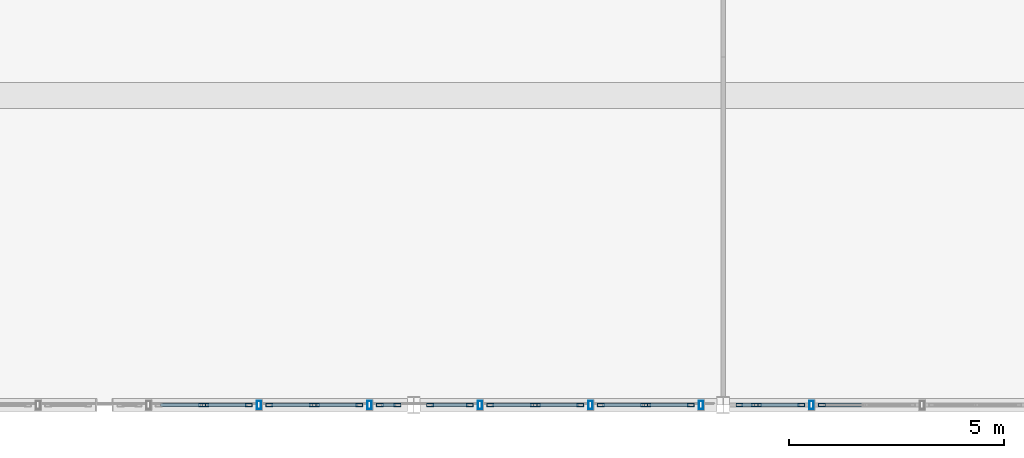
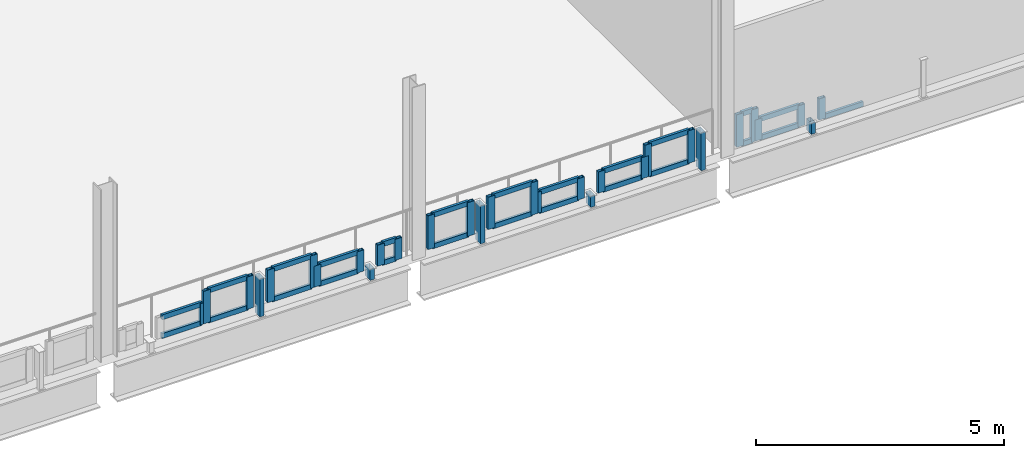
# One storey, part 6 of 20: 55 members, 13 elements without a shape of their own.
"""IFC4 building model written with IfcOpenShell, lengths in metres."""

from ifc_helpers import new_model, si_unit, direction, frame, origin, origin_2d, place, context, subcontext, project, spatial, hollow_rectangle, extrude, material, layer, layer_set, material_profile, profile_set, type_object, element, aggregate, save


model = new_model("IFC4")

# Units and contexts
model_context = context("Model", 3, precision=1e-05, world=origin(), true_north=direction((0.0, 1.0)))
body_context = subcontext(model_context, "Body", "Model", "MODEL_VIEW")
ifc_project = project(units=[si_unit("LENGTHUNIT", "METRE"), si_unit("AREAUNIT", "SQUARE_METRE"), si_unit("VOLUMEUNIT", "CUBIC_METRE"), si_unit("PLANEANGLEUNIT", "RADIAN"), si_unit("MASSUNIT", "GRAM", prefix="KILO"), si_unit("THERMODYNAMICTEMPERATUREUNIT", "KELVIN"), si_unit("POWERUNIT", "WATT")], contexts=[model_context])

# Site, building, storey
site_placement = place(None, origin())
site = spatial("IfcSite", under=ifc_project, at=site_placement, CompositionType="ELEMENT")
building_placement = place(site_placement, origin())
building = spatial("IfcBuilding", under=site, at=building_placement, Name="Kaldorven Railside Theatre", CompositionType="ELEMENT")
storey_placement = place(building_placement, frame((0.0, 0.0, 23.10009765625)))
storey = spatial("IfcBuildingStorey", under=building, at=storey_placement, Name="L05", CompositionType="ELEMENT", Elevation=23.10009765625)

# Curtain wall, member
ifc_material_1 = material(Name="Low-E laminated solar-control glass", Category="glass")
ifc_layer_1 = layer(ifc_material_1, 0.159912109375, Name="Low-E laminated solar-control glass")
ifc_layer_set_1 = layer_set([ifc_layer_1], Name="Low-E laminated solar-control glass")
curtain_wall_type_1 = type_object("IfcCurtainWallType", Name="CWT-43", PredefinedType="USERDEFINED", material=ifc_layer_set_1)
curtain_wall_1_placement = place(storey_placement, origin())
curtain_wall_1 = element("IfcCurtainWall", 1, at=curtain_wall_1_placement, inside=storey, type_object=curtain_wall_type_1, Name="Main Theatre North Ridge Clerestory CWG-045", ObjectType="FLUTED GLAZING", PredefinedType="USERDEFINED")
ifc_material_2 = material(Name="Anodised bronze aluminium", Category="aluminium")
ifc_material_profile_1 = material_profile(ifc_material_2, hollow_rectangle(XDim=0.080078125, YDim=0.159912109375, WallThickness=0.00634765625, at=origin_2d()), Name="RHS 160x80x6.3")
ifc_profile_set_1 = profile_set([ifc_material_profile_1], Name="Anodised bronze aluminium")
member_type_1 = type_object("IfcMemberType", Name="CWM-160", PredefinedType="MULLION", material=ifc_profile_set_1)
member_1_placement = place(storey_placement, frame((103.874267578125, 84.0, 0.02001953125), z_axis=(0.0, 0.0, 1.0), x_axis=(0.0, 1.0, 0.0)))
member_1 = element("IfcMember", 2, at=member_1_placement, type_object=member_type_1, Name="CWG-045 mullion 2", PredefinedType="MULLION", context=body_context, shape_type="SweptSolid", body=[
    extrude(hollow_rectangle(XDim=0.080078125, YDim=0.159912109375, WallThickness=0.00634765625, at=origin_2d()), origin(), (0.0, 0.0, 1.0), 0.519775390625),
])

# Curtain wall, members
ifc_layer_2 = layer(ifc_material_1, 0.159912109375, Name="Low-E laminated solar-control glass")
ifc_layer_set_2 = layer_set([ifc_layer_2], Name="Low-E laminated solar-control glass")
curtain_wall_type_2 = type_object("IfcCurtainWallType", Name="CWT-42", PredefinedType="USERDEFINED", material=ifc_layer_set_2)
curtain_wall_2_placement = place(storey_placement, origin())
curtain_wall_2 = element("IfcCurtainWall", 3, at=curtain_wall_2_placement, inside=storey, type_object=curtain_wall_type_2, Name="Main Theatre North Ridge Clerestory CWG-046", ObjectType="FLUTED GLAZING", PredefinedType="USERDEFINED")
member_2_placement = place(storey_placement, frame((103.954345703125, 84.0, 0.02001953125), z_axis=(0.0, 0.0, 1.0), x_axis=(0.0, 1.0, 0.0)))
member_2 = element("IfcMember", 4, at=member_2_placement, type_object=member_type_1, Name="CWG-046 mullion 1", PredefinedType="MULLION", context=body_context, shape_type="SweptSolid", body=[
    extrude(hollow_rectangle(XDim=0.080078125, YDim=0.159912109375, WallThickness=0.00634765625, at=origin_2d()), origin(), (0.0, 0.0, 1.0), 0.7998046875),
])
member_3_placement = place(storey_placement, frame((104.9599609375, 84.0, 0.02001953125), z_axis=(0.0, 0.0, 1.0), x_axis=(0.0, 1.0, 0.0)))
member_3 = element("IfcMember", 5, at=member_3_placement, type_object=member_type_1, Name="CWG-046 mullion 2", PredefinedType="MULLION", context=body_context, shape_type="SweptSolid", body=[
    extrude(hollow_rectangle(XDim=0.080078125, YDim=0.159912109375, WallThickness=0.00634765625, at=origin_2d()), origin(), (0.0, 0.0, 1.0), 0.7998046875),
])

curtain_wall_3_placement = place(storey_placement, origin())
curtain_wall_3 = element("IfcCurtainWall", 6, at=curtain_wall_3_placement, inside=storey, type_object=curtain_wall_type_2, Name="Main Theatre North Ridge Clerestory CWG-047", ObjectType="FLUTED GLAZING", PredefinedType="USERDEFINED")
member_4_placement = place(storey_placement, frame((105.43994140625, 84.0, 0.02001953125), z_axis=(0.0, 0.0, 1.0), x_axis=(0.0, 1.0, 0.0)))
member_4 = element("IfcMember", 7, at=member_4_placement, type_object=member_type_1, Name="CWG-047 mullion 1", PredefinedType="MULLION", context=body_context, shape_type="SweptSolid", body=[
    extrude(hollow_rectangle(XDim=0.080078125, YDim=0.159912109375, WallThickness=0.00634765625, at=origin_2d()), origin(), (0.0, 0.0, 1.0), 0.7998046875),
])
member_5_placement = place(storey_placement, frame((106.44580078125, 84.0, 0.02001953125), z_axis=(0.0, 0.0, 1.0), x_axis=(0.0, 1.0, 0.0)))
member_5 = element("IfcMember", 8, at=member_5_placement, type_object=member_type_1, Name="CWG-047 mullion 2", PredefinedType="MULLION", context=body_context, shape_type="SweptSolid", body=[
    extrude(hollow_rectangle(XDim=0.080078125, YDim=0.159912109375, WallThickness=0.00634765625, at=origin_2d()), origin(), (0.0, 0.0, 1.0), 0.7998046875),
])

curtain_wall_4_placement = place(storey_placement, origin())
curtain_wall_4 = element("IfcCurtainWall", 9, at=curtain_wall_4_placement, inside=storey, type_object=curtain_wall_type_1, Name="Main Theatre North Ridge Clerestory CWG-048", ObjectType="FLUTED GLAZING", PredefinedType="USERDEFINED")
member_6_placement = place(storey_placement, frame((106.525634765625, 84.0, 0.02001953125), z_axis=(0.0, 0.0, 1.0), x_axis=(0.0, 1.0, 0.0)))
member_6 = element("IfcMember", 10, at=member_6_placement, type_object=member_type_1, Name="CWG-048 mullion 1", PredefinedType="MULLION", context=body_context, shape_type="SweptSolid", body=[
    extrude(hollow_rectangle(XDim=0.080078125, YDim=0.159912109375, WallThickness=0.00634765625, at=origin_2d()), origin(), (0.0, 0.0, 1.0), 0.519775390625),
])
member_7_placement = place(storey_placement, frame((107.531494140625, 84.0, 0.02001953125), z_axis=(0.0, 0.0, 1.0), x_axis=(0.0, 1.0, 0.0)))
member_7 = element("IfcMember", 11, at=member_7_placement, type_object=member_type_1, Name="CWG-048 mullion 2", PredefinedType="MULLION", context=body_context, shape_type="SweptSolid", body=[
    extrude(hollow_rectangle(XDim=0.080078125, YDim=0.159912109375, WallThickness=0.00634765625, at=origin_2d()), origin(), (0.0, 0.0, 1.0), 0.519775390625),
])

ifc_layer_3 = layer(ifc_material_1, 0.159912109375, Name="Low-E laminated solar-control glass")
ifc_layer_set_3 = layer_set([ifc_layer_3], Name="Low-E laminated solar-control glass")
curtain_wall_type_3 = type_object("IfcCurtainWallType", Name="CWT-46", PredefinedType="USERDEFINED", material=ifc_layer_set_3)
curtain_wall_5_placement = place(storey_placement, origin())
curtain_wall_5 = element("IfcCurtainWall", 12, at=curtain_wall_5_placement, inside=storey, type_object=curtain_wall_type_3, Name="Main Theatre North Ridge Clerestory CWG-049", ObjectType="FLUTED GLAZING", PredefinedType="USERDEFINED")
member_8_placement = place(storey_placement, frame((108.011474609375, 84.0, 0.02001953125), z_axis=(0.0, 0.0, 1.0), x_axis=(0.0, 1.0, 0.0)))
member_8 = element("IfcMember", 13, at=member_8_placement, type_object=member_type_1, Name="CWG-049 mullion 1", PredefinedType="MULLION", context=body_context, shape_type="SweptSolid", body=[
    extrude(hollow_rectangle(XDim=0.080078125, YDim=0.159912109375, WallThickness=0.00634765625, at=origin_2d()), origin(), (0.0, 0.0, 1.0), 0.519775390625),
])
member_9_placement = place(storey_placement, frame((108.419921875, 84.0, 0.02001953125), z_axis=(0.0, 0.0, 1.0), x_axis=(0.0, 1.0, 0.0)))
member_9 = element("IfcMember", 14, at=member_9_placement, type_object=member_type_1, Name="CWG-049 mullion 2", PredefinedType="MULLION", context=body_context, shape_type="SweptSolid", body=[
    extrude(hollow_rectangle(XDim=0.080078125, YDim=0.159912109375, WallThickness=0.00634765625, at=origin_2d()), origin(), (0.0, 0.0, 1.0), 0.519775390625),
])

ifc_layer_4 = layer(ifc_material_1, 0.159912109375, Name="Low-E laminated solar-control glass")
ifc_layer_set_4 = layer_set([ifc_layer_4], Name="Low-E laminated solar-control glass")
curtain_wall_type_4 = type_object("IfcCurtainWallType", Name="CWT-45", PredefinedType="USERDEFINED", material=ifc_layer_set_4)
curtain_wall_6_placement = place(storey_placement, origin())
curtain_wall_6 = element("IfcCurtainWall", 15, at=curtain_wall_6_placement, inside=storey, type_object=curtain_wall_type_4, Name="Main Theatre North Ridge Clerestory CWG-050", ObjectType="FLUTED GLAZING", PredefinedType="USERDEFINED")
member_10_placement = place(storey_placement, frame((109.179931640625, 84.0, 0.02001953125), z_axis=(0.0, 0.0, 1.0), x_axis=(0.0, 1.0, 0.0)))
member_10 = element("IfcMember", 16, at=member_10_placement, type_object=member_type_1, Name="CWG-050 mullion 1", PredefinedType="MULLION", context=body_context, shape_type="SweptSolid", body=[
    extrude(hollow_rectangle(XDim=0.080078125, YDim=0.159912109375, WallThickness=0.00634765625, at=origin_2d()), origin(), (0.0, 0.0, 1.0), 0.829833984375),
])
member_11_placement = place(storey_placement, frame((110.102783203125, 84.0, 0.02001953125), z_axis=(0.0, 0.0, 1.0), x_axis=(0.0, 1.0, 0.0)))
member_11 = element("IfcMember", 17, at=member_11_placement, type_object=member_type_1, Name="CWG-050 mullion 2", PredefinedType="MULLION", context=body_context, shape_type="SweptSolid", body=[
    extrude(hollow_rectangle(XDim=0.080078125, YDim=0.159912109375, WallThickness=0.00634765625, at=origin_2d()), origin(), (0.0, 0.0, 1.0), 0.829833984375),
])

curtain_wall_7_placement = place(storey_placement, origin())
curtain_wall_7 = element("IfcCurtainWall", 18, at=curtain_wall_7_placement, inside=storey, type_object=curtain_wall_type_2, Name="Main Theatre North Ridge Clerestory CWG-051", ObjectType="FLUTED GLAZING", PredefinedType="USERDEFINED")
member_12_placement = place(storey_placement, frame((110.582763671875, 84.0, 0.02001953125), z_axis=(0.0, 0.0, 1.0), x_axis=(0.0, 1.0, 0.0)))
member_12 = element("IfcMember", 19, at=member_12_placement, type_object=member_type_1, Name="CWG-051 mullion 1", PredefinedType="MULLION", context=body_context, shape_type="SweptSolid", body=[
    extrude(hollow_rectangle(XDim=0.080078125, YDim=0.159912109375, WallThickness=0.00634765625, at=origin_2d()), origin(), (0.0, 0.0, 1.0), 0.7998046875),
])
member_13_placement = place(storey_placement, frame((111.588623046875, 84.0, 0.02001953125), z_axis=(0.0, 0.0, 1.0), x_axis=(0.0, 1.0, 0.0)))
member_13 = element("IfcMember", 20, at=member_13_placement, type_object=member_type_1, Name="CWG-051 mullion 2", PredefinedType="MULLION", context=body_context, shape_type="SweptSolid", body=[
    extrude(hollow_rectangle(XDim=0.080078125, YDim=0.159912109375, WallThickness=0.00634765625, at=origin_2d()), origin(), (0.0, 0.0, 1.0), 0.7998046875),
])

curtain_wall_8_placement = place(storey_placement, origin())
curtain_wall_8 = element("IfcCurtainWall", 21, at=curtain_wall_8_placement, inside=storey, type_object=curtain_wall_type_1, Name="Main Theatre North Ridge Clerestory CWG-052", ObjectType="FLUTED GLAZING", PredefinedType="USERDEFINED")
member_14_placement = place(storey_placement, frame((111.668701171875, 84.0, 0.02001953125), z_axis=(0.0, 0.0, 1.0), x_axis=(0.0, 1.0, 0.0)))
member_14 = element("IfcMember", 22, at=member_14_placement, type_object=member_type_1, Name="CWG-052 mullion 1", PredefinedType="MULLION", context=body_context, shape_type="SweptSolid", body=[
    extrude(hollow_rectangle(XDim=0.080078125, YDim=0.159912109375, WallThickness=0.00634765625, at=origin_2d()), origin(), (0.0, 0.0, 1.0), 0.519775390625),
])
member_15_placement = place(storey_placement, frame((112.67431640625, 84.0, 0.02001953125), z_axis=(0.0, 0.0, 1.0), x_axis=(0.0, 1.0, 0.0)))
member_15 = element("IfcMember", 23, at=member_15_placement, type_object=member_type_1, Name="CWG-052 mullion 2", PredefinedType="MULLION", context=body_context, shape_type="SweptSolid", body=[
    extrude(hollow_rectangle(XDim=0.080078125, YDim=0.159912109375, WallThickness=0.00634765625, at=origin_2d()), origin(), (0.0, 0.0, 1.0), 0.519775390625),
])

curtain_wall_9_placement = place(storey_placement, origin())
curtain_wall_9 = element("IfcCurtainWall", 24, at=curtain_wall_9_placement, inside=storey, type_object=curtain_wall_type_1, Name="Main Theatre North Ridge Clerestory CWG-053", ObjectType="FLUTED GLAZING", PredefinedType="USERDEFINED")
member_16_placement = place(storey_placement, frame((113.154296875, 84.0, 0.02001953125), z_axis=(0.0, 0.0, 1.0), x_axis=(0.0, 1.0, 0.0)))
member_16 = element("IfcMember", 25, at=member_16_placement, type_object=member_type_1, Name="CWG-053 mullion 1", PredefinedType="MULLION", context=body_context, shape_type="SweptSolid", body=[
    extrude(hollow_rectangle(XDim=0.080078125, YDim=0.159912109375, WallThickness=0.00634765625, at=origin_2d()), origin(), (0.0, 0.0, 1.0), 0.519775390625),
])
member_17_placement = place(storey_placement, frame((114.159912109375, 84.0, 0.02001953125), z_axis=(0.0, 0.0, 1.0), x_axis=(0.0, 1.0, 0.0)))
member_17 = element("IfcMember", 26, at=member_17_placement, type_object=member_type_1, Name="CWG-053 mullion 2", PredefinedType="MULLION", context=body_context, shape_type="SweptSolid", body=[
    extrude(hollow_rectangle(XDim=0.080078125, YDim=0.159912109375, WallThickness=0.00634765625, at=origin_2d()), origin(), (0.0, 0.0, 1.0), 0.519775390625),
])

curtain_wall_10_placement = place(storey_placement, origin())
curtain_wall_10 = element("IfcCurtainWall", 27, at=curtain_wall_10_placement, inside=storey, type_object=curtain_wall_type_2, Name="Main Theatre North Ridge Clerestory CWG-054", ObjectType="FLUTED GLAZING", PredefinedType="USERDEFINED")
member_18_placement = place(storey_placement, frame((114.239990234375, 84.0, 0.02001953125), z_axis=(0.0, 0.0, 1.0), x_axis=(0.0, 1.0, 0.0)))
member_18 = element("IfcMember", 28, at=member_18_placement, type_object=member_type_1, Name="CWG-054 mullion 1", PredefinedType="MULLION", context=body_context, shape_type="SweptSolid", body=[
    extrude(hollow_rectangle(XDim=0.080078125, YDim=0.159912109375, WallThickness=0.00634765625, at=origin_2d()), origin(), (0.0, 0.0, 1.0), 0.7998046875),
])
member_19_placement = place(storey_placement, frame((115.24560546875, 84.0, 0.02001953125), z_axis=(0.0, 0.0, 1.0), x_axis=(0.0, 1.0, 0.0)))
member_19 = element("IfcMember", 29, at=member_19_placement, type_object=member_type_1, Name="CWG-054 mullion 2", PredefinedType="MULLION", context=body_context, shape_type="SweptSolid", body=[
    extrude(hollow_rectangle(XDim=0.080078125, YDim=0.159912109375, WallThickness=0.00634765625, at=origin_2d()), origin(), (0.0, 0.0, 1.0), 0.7998046875),
])

ifc_layer_5 = layer(ifc_material_1, 0.159912109375, Name="Low-E laminated solar-control glass")
ifc_layer_set_5 = layer_set([ifc_layer_5], Name="Low-E laminated solar-control glass")
curtain_wall_type_5 = type_object("IfcCurtainWallType", Name="CWT-44", PredefinedType="USERDEFINED", material=ifc_layer_set_5)
curtain_wall_11_placement = place(storey_placement, origin())
curtain_wall_11 = element("IfcCurtainWall", 30, at=curtain_wall_11_placement, inside=storey, type_object=curtain_wall_type_5, Name="Main Theatre North Ridge Clerestory CWG-055", ObjectType="FLUTED GLAZING", PredefinedType="USERDEFINED")
member_20_placement = place(storey_placement, frame((116.3798828125, 84.0, 0.02001953125), z_axis=(0.0, 0.0, 1.0), x_axis=(0.0, 1.0, 0.0)))
member_20 = element("IfcMember", 31, at=member_20_placement, type_object=member_type_1, Name="CWG-055 mullion 1", PredefinedType="MULLION", context=body_context, shape_type="SweptSolid", body=[
    extrude(hollow_rectangle(XDim=0.080078125, YDim=0.159912109375, WallThickness=0.00634765625, at=origin_2d()), origin(), (0.0, 0.0, 1.0), 0.7998046875),
])
member_21_placement = place(storey_placement, frame((116.7314453125, 84.0, 0.02001953125), z_axis=(0.0, 0.0, 1.0), x_axis=(0.0, 1.0, 0.0)))
member_21 = element("IfcMember", 32, at=member_21_placement, type_object=member_type_1, Name="CWG-055 mullion 2", PredefinedType="MULLION", context=body_context, shape_type="SweptSolid", body=[
    extrude(hollow_rectangle(XDim=0.080078125, YDim=0.159912109375, WallThickness=0.00634765625, at=origin_2d()), origin(), (0.0, 0.0, 1.0), 0.7998046875),
])

curtain_wall_12_placement = place(storey_placement, origin())
curtain_wall_12 = element("IfcCurtainWall", 33, at=curtain_wall_12_placement, inside=storey, type_object=curtain_wall_type_1, Name="Main Theatre North Ridge Clerestory CWG-056", ObjectType="FLUTED GLAZING", PredefinedType="USERDEFINED")
member_22_placement = place(storey_placement, frame((116.811279296875, 84.0, 0.02001953125), z_axis=(0.0, 0.0, 1.0), x_axis=(0.0, 1.0, 0.0)))
member_22 = element("IfcMember", 34, at=member_22_placement, type_object=member_type_1, Name="CWG-056 mullion 1", PredefinedType="MULLION", context=body_context, shape_type="SweptSolid", body=[
    extrude(hollow_rectangle(XDim=0.080078125, YDim=0.159912109375, WallThickness=0.00634765625, at=origin_2d()), origin(), (0.0, 0.0, 1.0), 0.519775390625),
])
member_23_placement = place(storey_placement, frame((117.817138671875, 84.0, 0.02001953125), z_axis=(0.0, 0.0, 1.0), x_axis=(0.0, 1.0, 0.0)))
member_23 = element("IfcMember", 35, at=member_23_placement, type_object=member_type_1, Name="CWG-056 mullion 2", PredefinedType="MULLION", context=body_context, shape_type="SweptSolid", body=[
    extrude(hollow_rectangle(XDim=0.080078125, YDim=0.159912109375, WallThickness=0.00634765625, at=origin_2d()), origin(), (0.0, 0.0, 1.0), 0.519775390625),
])

# Curtain wall, member
curtain_wall_13_placement = place(storey_placement, origin())
curtain_wall_13 = element("IfcCurtainWall", 36, at=curtain_wall_13_placement, inside=storey, type_object=curtain_wall_type_1, Name="Main Theatre North Ridge Clerestory CWG-057", ObjectType="FLUTED GLAZING", PredefinedType="USERDEFINED")
member_24_placement = place(storey_placement, frame((118.297119140625, 84.0, 0.02001953125), z_axis=(0.0, 0.0, 1.0), x_axis=(0.0, 1.0, 0.0)))
member_24 = element("IfcMember", 37, at=member_24_placement, type_object=member_type_1, Name="CWG-057 mullion 1", PredefinedType="MULLION", context=body_context, shape_type="SweptSolid", body=[
    extrude(hollow_rectangle(XDim=0.080078125, YDim=0.159912109375, WallThickness=0.00634765625, at=origin_2d()), origin(), (0.0, 0.0, 1.0), 0.519775390625),
])

# Member
ifc_material_profile_2 = material_profile(ifc_material_2, hollow_rectangle(XDim=0.06005859375, YDim=0.1201171875, WallThickness=0.0048828125, at=origin_2d()), Name="RHS 120x60x5")
ifc_profile_set_2 = profile_set([ifc_material_profile_2], Name="Anodised bronze aluminium")
member_type_2 = type_object("IfcMemberType", Name="CWT-120", PredefinedType="USERDEFINED", material=ifc_profile_set_2)
member_25_placement = place(storey_placement, frame((102.90869140625, 84.0, 0.0498046875), z_axis=(1.0, 0.0, 0.0), x_axis=(0.0, 1.0, 0.0)))
member_25 = element("IfcMember", 38, at=member_25_placement, type_object=member_type_2, Name="CWG-045 transom 1.1", ObjectType="TRANSOM", PredefinedType="USERDEFINED", context=body_context, shape_type="SweptSolid", body=[
    extrude(hollow_rectangle(XDim=0.06005859375, YDim=0.1201171875, WallThickness=0.0048828125, at=origin_2d()), origin(), (0.0, 0.0, 1.0), 0.925537109375),
])

member_26_placement = place(storey_placement, frame((102.90869140625, 84.0, 0.510009765625), z_axis=(1.0, 0.0, 0.0), x_axis=(0.0, 1.0, 0.0)))
member_26 = element("IfcMember", 39, at=member_26_placement, type_object=member_type_2, Name="CWG-045 transom 1.2", ObjectType="TRANSOM", PredefinedType="USERDEFINED", context=body_context, shape_type="SweptSolid", body=[
    extrude(hollow_rectangle(XDim=0.06005859375, YDim=0.1201171875, WallThickness=0.0048828125, at=origin_2d()), origin(), (0.0, 0.0, 1.0), 0.925537109375),
])

aggregate(curtain_wall_1, [member_1, member_25, member_26])

member_27_placement = place(storey_placement, frame((103.994384765625, 84.0, 0.0498046875), z_axis=(1.0, 0.0, 0.0), x_axis=(0.0, 1.0, 0.0)))
member_27 = element("IfcMember", 40, at=member_27_placement, type_object=member_type_2, Name="CWG-046 transom 1.1", ObjectType="TRANSOM", PredefinedType="USERDEFINED", context=body_context, shape_type="SweptSolid", body=[
    extrude(hollow_rectangle(XDim=0.06005859375, YDim=0.1201171875, WallThickness=0.0048828125, at=origin_2d()), origin(), (0.0, 0.0, 1.0), 0.925537109375),
])

member_28_placement = place(storey_placement, frame((103.994384765625, 84.0, 0.789794921875), z_axis=(1.0, 0.0, 0.0), x_axis=(0.0, 1.0, 0.0)))
member_28 = element("IfcMember", 41, at=member_28_placement, type_object=member_type_2, Name="CWG-046 transom 1.2", ObjectType="TRANSOM", PredefinedType="USERDEFINED", context=body_context, shape_type="SweptSolid", body=[
    extrude(hollow_rectangle(XDim=0.06005859375, YDim=0.1201171875, WallThickness=0.0048828125, at=origin_2d()), origin(), (0.0, 0.0, 1.0), 0.925537109375),
])

aggregate(curtain_wall_2, [member_2, member_3, member_27, member_28])

member_29_placement = place(storey_placement, frame((105.47998046875, 84.0, 0.0498046875), z_axis=(1.0, 0.0, 0.0), x_axis=(0.0, 1.0, 0.0)))
member_29 = element("IfcMember", 42, at=member_29_placement, type_object=member_type_2, Name="CWG-047 transom 1.1", ObjectType="TRANSOM", PredefinedType="USERDEFINED", context=body_context, shape_type="SweptSolid", body=[
    extrude(hollow_rectangle(XDim=0.06005859375, YDim=0.1201171875, WallThickness=0.0048828125, at=origin_2d()), origin(), (0.0, 0.0, 1.0), 0.92578125),
])

member_30_placement = place(storey_placement, frame((105.47998046875, 84.0, 0.789794921875), z_axis=(1.0, 0.0, 0.0), x_axis=(0.0, 1.0, 0.0)))
member_30 = element("IfcMember", 43, at=member_30_placement, type_object=member_type_2, Name="CWG-047 transom 1.2", ObjectType="TRANSOM", PredefinedType="USERDEFINED", context=body_context, shape_type="SweptSolid", body=[
    extrude(hollow_rectangle(XDim=0.06005859375, YDim=0.1201171875, WallThickness=0.0048828125, at=origin_2d()), origin(), (0.0, 0.0, 1.0), 0.92578125),
])

aggregate(curtain_wall_3, [member_4, member_5, member_29, member_30])

member_31_placement = place(storey_placement, frame((106.565673828125, 84.0, 0.0498046875), z_axis=(1.0, 0.0, 0.0), x_axis=(0.0, 1.0, 0.0)))
member_31 = element("IfcMember", 44, at=member_31_placement, type_object=member_type_2, Name="CWG-048 transom 1.1", ObjectType="TRANSOM", PredefinedType="USERDEFINED", context=body_context, shape_type="SweptSolid", body=[
    extrude(hollow_rectangle(XDim=0.06005859375, YDim=0.1201171875, WallThickness=0.0048828125, at=origin_2d()), origin(), (0.0, 0.0, 1.0), 0.92578125),
])

member_32_placement = place(storey_placement, frame((106.565673828125, 84.0, 0.510009765625), z_axis=(1.0, 0.0, 0.0), x_axis=(0.0, 1.0, 0.0)))
member_32 = element("IfcMember", 45, at=member_32_placement, type_object=member_type_2, Name="CWG-048 transom 1.2", ObjectType="TRANSOM", PredefinedType="USERDEFINED", context=body_context, shape_type="SweptSolid", body=[
    extrude(hollow_rectangle(XDim=0.06005859375, YDim=0.1201171875, WallThickness=0.0048828125, at=origin_2d()), origin(), (0.0, 0.0, 1.0), 0.92578125),
])

aggregate(curtain_wall_4, [member_6, member_7, member_31, member_32])

member_33_placement = place(storey_placement, frame((108.051513671875, 84.0, 0.0498046875), z_axis=(1.0, 0.0, 0.0), x_axis=(0.0, 1.0, 0.0)))
member_33 = element("IfcMember", 46, at=member_33_placement, type_object=member_type_2, Name="CWG-049 transom 1.1", ObjectType="TRANSOM", PredefinedType="USERDEFINED", context=body_context, shape_type="SweptSolid", body=[
    extrude(hollow_rectangle(XDim=0.06005859375, YDim=0.1201171875, WallThickness=0.0048828125, at=origin_2d()), origin(), (0.0, 0.0, 1.0), 0.328369140625),
])

member_34_placement = place(storey_placement, frame((108.051513671875, 84.0, 0.510009765625), z_axis=(1.0, 0.0, 0.0), x_axis=(0.0, 1.0, 0.0)))
member_34 = element("IfcMember", 47, at=member_34_placement, type_object=member_type_2, Name="CWG-049 transom 1.2", ObjectType="TRANSOM", PredefinedType="USERDEFINED", context=body_context, shape_type="SweptSolid", body=[
    extrude(hollow_rectangle(XDim=0.06005859375, YDim=0.1201171875, WallThickness=0.0048828125, at=origin_2d()), origin(), (0.0, 0.0, 1.0), 0.328369140625),
])

aggregate(curtain_wall_5, [member_8, member_9, member_33, member_34])

member_35_placement = place(storey_placement, frame((109.219970703125, 84.0, 0.0498046875), z_axis=(1.0, 0.0, 0.0), x_axis=(0.0, 1.0, 0.0)))
member_35 = element("IfcMember", 48, at=member_35_placement, type_object=member_type_2, Name="CWG-050 transom 1.1", ObjectType="TRANSOM", PredefinedType="USERDEFINED", context=body_context, shape_type="SweptSolid", body=[
    extrude(hollow_rectangle(XDim=0.06005859375, YDim=0.1201171875, WallThickness=0.0048828125, at=origin_2d()), origin(), (0.0, 0.0, 1.0), 0.8427734375),
])

member_36_placement = place(storey_placement, frame((109.219970703125, 84.0, 0.81982421875), z_axis=(1.0, 0.0, 0.0), x_axis=(0.0, 1.0, 0.0)))
member_36 = element("IfcMember", 49, at=member_36_placement, type_object=member_type_2, Name="CWG-050 transom 1.2", ObjectType="TRANSOM", PredefinedType="USERDEFINED", context=body_context, shape_type="SweptSolid", body=[
    extrude(hollow_rectangle(XDim=0.06005859375, YDim=0.1201171875, WallThickness=0.0048828125, at=origin_2d()), origin(), (0.0, 0.0, 1.0), 0.8427734375),
])

aggregate(curtain_wall_6, [member_10, member_11, member_35, member_36])

member_37_placement = place(storey_placement, frame((110.622802734375, 84.0, 0.0498046875), z_axis=(1.0, 0.0, 0.0), x_axis=(0.0, 1.0, 0.0)))
member_37 = element("IfcMember", 50, at=member_37_placement, type_object=member_type_2, Name="CWG-051 transom 1.1", ObjectType="TRANSOM", PredefinedType="USERDEFINED", context=body_context, shape_type="SweptSolid", body=[
    extrude(hollow_rectangle(XDim=0.06005859375, YDim=0.1201171875, WallThickness=0.0048828125, at=origin_2d()), origin(), (0.0, 0.0, 1.0), 0.92578125),
])

member_38_placement = place(storey_placement, frame((110.622802734375, 84.0, 0.789794921875), z_axis=(1.0, 0.0, 0.0), x_axis=(0.0, 1.0, 0.0)))
member_38 = element("IfcMember", 51, at=member_38_placement, type_object=member_type_2, Name="CWG-051 transom 1.2", ObjectType="TRANSOM", PredefinedType="USERDEFINED", context=body_context, shape_type="SweptSolid", body=[
    extrude(hollow_rectangle(XDim=0.06005859375, YDim=0.1201171875, WallThickness=0.0048828125, at=origin_2d()), origin(), (0.0, 0.0, 1.0), 0.92578125),
])

aggregate(curtain_wall_7, [member_12, member_13, member_37, member_38])

member_39_placement = place(storey_placement, frame((111.70849609375, 84.0, 0.0498046875), z_axis=(1.0, 0.0, 0.0), x_axis=(0.0, 1.0, 0.0)))
member_39 = element("IfcMember", 52, at=member_39_placement, type_object=member_type_2, Name="CWG-052 transom 1.1", ObjectType="TRANSOM", PredefinedType="USERDEFINED", context=body_context, shape_type="SweptSolid", body=[
    extrude(hollow_rectangle(XDim=0.06005859375, YDim=0.1201171875, WallThickness=0.0048828125, at=origin_2d()), origin(), (0.0, 0.0, 1.0), 0.92578125),
])

member_40_placement = place(storey_placement, frame((111.70849609375, 84.0, 0.510009765625), z_axis=(1.0, 0.0, 0.0), x_axis=(0.0, 1.0, 0.0)))
member_40 = element("IfcMember", 53, at=member_40_placement, type_object=member_type_2, Name="CWG-052 transom 1.2", ObjectType="TRANSOM", PredefinedType="USERDEFINED", context=body_context, shape_type="SweptSolid", body=[
    extrude(hollow_rectangle(XDim=0.06005859375, YDim=0.1201171875, WallThickness=0.0048828125, at=origin_2d()), origin(), (0.0, 0.0, 1.0), 0.92578125),
])

aggregate(curtain_wall_8, [member_14, member_15, member_39, member_40])

member_41_placement = place(storey_placement, frame((113.1943359375, 84.0, 0.0498046875), z_axis=(1.0, 0.0, 0.0), x_axis=(0.0, 1.0, 0.0)))
member_41 = element("IfcMember", 54, at=member_41_placement, type_object=member_type_2, Name="CWG-053 transom 1.1", ObjectType="TRANSOM", PredefinedType="USERDEFINED", context=body_context, shape_type="SweptSolid", body=[
    extrude(hollow_rectangle(XDim=0.06005859375, YDim=0.1201171875, WallThickness=0.0048828125, at=origin_2d()), origin(), (0.0, 0.0, 1.0), 0.92578125),
])

member_42_placement = place(storey_placement, frame((113.1943359375, 84.0, 0.510009765625), z_axis=(1.0, 0.0, 0.0), x_axis=(0.0, 1.0, 0.0)))
member_42 = element("IfcMember", 55, at=member_42_placement, type_object=member_type_2, Name="CWG-053 transom 1.2", ObjectType="TRANSOM", PredefinedType="USERDEFINED", context=body_context, shape_type="SweptSolid", body=[
    extrude(hollow_rectangle(XDim=0.06005859375, YDim=0.1201171875, WallThickness=0.0048828125, at=origin_2d()), origin(), (0.0, 0.0, 1.0), 0.92578125),
])

aggregate(curtain_wall_9, [member_16, member_17, member_41, member_42])

member_43_placement = place(storey_placement, frame((114.280029296875, 84.0, 0.0498046875), z_axis=(1.0, 0.0, 0.0), x_axis=(0.0, 1.0, 0.0)))
member_43 = element("IfcMember", 56, at=member_43_placement, type_object=member_type_2, Name="CWG-054 transom 1.1", ObjectType="TRANSOM", PredefinedType="USERDEFINED", context=body_context, shape_type="SweptSolid", body=[
    extrude(hollow_rectangle(XDim=0.06005859375, YDim=0.1201171875, WallThickness=0.0048828125, at=origin_2d()), origin(), (0.0, 0.0, 1.0), 0.92578125),
])

member_44_placement = place(storey_placement, frame((114.280029296875, 84.0, 0.789794921875), z_axis=(1.0, 0.0, 0.0), x_axis=(0.0, 1.0, 0.0)))
member_44 = element("IfcMember", 57, at=member_44_placement, type_object=member_type_2, Name="CWG-054 transom 1.2", ObjectType="TRANSOM", PredefinedType="USERDEFINED", context=body_context, shape_type="SweptSolid", body=[
    extrude(hollow_rectangle(XDim=0.06005859375, YDim=0.1201171875, WallThickness=0.0048828125, at=origin_2d()), origin(), (0.0, 0.0, 1.0), 0.92578125),
])

aggregate(curtain_wall_10, [member_18, member_19, member_43, member_44])

member_45_placement = place(storey_placement, frame((116.419921875, 84.0, 0.0498046875), z_axis=(1.0, 0.0, 0.0), x_axis=(0.0, 1.0, 0.0)))
member_45 = element("IfcMember", 58, at=member_45_placement, type_object=member_type_2, Name="CWG-055 transom 1.1", ObjectType="TRANSOM", PredefinedType="USERDEFINED", context=body_context, shape_type="SweptSolid", body=[
    extrude(hollow_rectangle(XDim=0.06005859375, YDim=0.1201171875, WallThickness=0.0048828125, at=origin_2d()), origin(), (0.0, 0.0, 1.0), 0.271484375),
])

member_46_placement = place(storey_placement, frame((116.419921875, 84.0, 0.789794921875), z_axis=(1.0, 0.0, 0.0), x_axis=(0.0, 1.0, 0.0)))
member_46 = element("IfcMember", 59, at=member_46_placement, type_object=member_type_2, Name="CWG-055 transom 1.2", ObjectType="TRANSOM", PredefinedType="USERDEFINED", context=body_context, shape_type="SweptSolid", body=[
    extrude(hollow_rectangle(XDim=0.06005859375, YDim=0.1201171875, WallThickness=0.0048828125, at=origin_2d()), origin(), (0.0, 0.0, 1.0), 0.271484375),
])

aggregate(curtain_wall_11, [member_20, member_21, member_45, member_46])

member_47_placement = place(storey_placement, frame((116.851318359375, 84.0, 0.0498046875), z_axis=(1.0, 0.0, 0.0), x_axis=(0.0, 1.0, 0.0)))
member_47 = element("IfcMember", 60, at=member_47_placement, type_object=member_type_2, Name="CWG-056 transom 1.1", ObjectType="TRANSOM", PredefinedType="USERDEFINED", context=body_context, shape_type="SweptSolid", body=[
    extrude(hollow_rectangle(XDim=0.06005859375, YDim=0.1201171875, WallThickness=0.0048828125, at=origin_2d()), origin(), (0.0, 0.0, 1.0), 0.92578125),
])

member_48_placement = place(storey_placement, frame((116.851318359375, 84.0, 0.510009765625), z_axis=(1.0, 0.0, 0.0), x_axis=(0.0, 1.0, 0.0)))
member_48 = element("IfcMember", 61, at=member_48_placement, type_object=member_type_2, Name="CWG-056 transom 1.2", ObjectType="TRANSOM", PredefinedType="USERDEFINED", context=body_context, shape_type="SweptSolid", body=[
    extrude(hollow_rectangle(XDim=0.06005859375, YDim=0.1201171875, WallThickness=0.0048828125, at=origin_2d()), origin(), (0.0, 0.0, 1.0), 0.92578125),
])

aggregate(curtain_wall_12, [member_22, member_23, member_47, member_48])

member_49_placement = place(storey_placement, frame((118.337158203125, 84.0, 0.0498046875), z_axis=(1.0, 0.0, 0.0), x_axis=(0.0, 1.0, 0.0)))
member_49 = element("IfcMember", 62, at=member_49_placement, type_object=member_type_2, Name="CWG-057 transom 1.1", ObjectType="TRANSOM", PredefinedType="USERDEFINED", context=body_context, shape_type="SweptSolid", body=[
    extrude(hollow_rectangle(XDim=0.06005859375, YDim=0.1201171875, WallThickness=0.0048828125, at=origin_2d()), origin(), (0.0, 0.0, 1.0), 0.92578125),
])

aggregate(curtain_wall_13, [member_24, member_49])

# Members
ifc_material_3 = material(Name="Steel S355", Category="steel")
ifc_material_profile_3 = material_profile(ifc_material_3, hollow_rectangle(XDim=0.10009765625, YDim=0.199951171875, WallThickness=0.008056640625, at=origin_2d()), Name="RHS 200x100x8")
ifc_profile_set_3 = profile_set([ifc_material_profile_3], Name="Steel S355")
member_type_3 = type_object("IfcMemberType", Name="MEM-RHS200", PredefinedType="STRUT", material=ifc_profile_set_3)
member_50_placement = place(storey_placement, frame((105.199951171875, 84.0, -0.22021484375), z_axis=(0.0, 0.0, 1.0), x_axis=(1.0, 0.0, 0.0)))
element("IfcMember", 63, at=member_50_placement, inside=storey, type_object=member_type_3, Name="V1 N Gable Roof Bearing Post", PredefinedType="STRUT", context=body_context, shape_type="SweptSolid", body=[
    extrude(hollow_rectangle(XDim=0.10009765625, YDim=0.199951171875, WallThickness=0.008056640625, at=origin_2d()), origin(), (0.0, 0.0, 1.0), 0.94140625),
])
member_51_placement = place(storey_placement, frame((107.771484375, 84.0, -0.22021484375), z_axis=(0.0, 0.0, 1.0), x_axis=(1.0, 0.0, 0.0)))
element("IfcMember", 64, at=member_51_placement, inside=storey, type_object=member_type_3, Name="V1 N Gable Roof Bearing Post", PredefinedType="STRUT", context=body_context, shape_type="SweptSolid", body=[
    extrude(hollow_rectangle(XDim=0.10009765625, YDim=0.199951171875, WallThickness=0.008056640625, at=origin_2d()), origin(), (0.0, 0.0, 1.0), 0.2763671875),
])
member_52_placement = place(storey_placement, frame((110.3427734375, 84.0, -0.22021484375), z_axis=(0.0, 0.0, 1.0), x_axis=(1.0, 0.0, 0.0)))
element("IfcMember", 65, at=member_52_placement, inside=storey, type_object=member_type_3, Name="V1 N Gable Roof Bearing Post", PredefinedType="STRUT", context=body_context, shape_type="SweptSolid", body=[
    extrude(hollow_rectangle(XDim=0.10009765625, YDim=0.199951171875, WallThickness=0.008056640625, at=origin_2d()), origin(), (0.0, 0.0, 1.0), 0.94140625),
])
member_53_placement = place(storey_placement, frame((112.914306640625, 84.0, -0.22021484375), z_axis=(0.0, 0.0, 1.0), x_axis=(1.0, 0.0, 0.0)))
element("IfcMember", 66, at=member_53_placement, inside=storey, type_object=member_type_3, Name="V1 N Gable Roof Bearing Post", PredefinedType="STRUT", context=body_context, shape_type="SweptSolid", body=[
    extrude(hollow_rectangle(XDim=0.10009765625, YDim=0.199951171875, WallThickness=0.008056640625, at=origin_2d()), origin(), (0.0, 0.0, 1.0), 0.2763671875),
])
member_54_placement = place(storey_placement, frame((115.485595703125, 84.0, -0.22021484375), z_axis=(0.0, 0.0, 1.0), x_axis=(1.0, 0.0, 0.0)))
element("IfcMember", 67, at=member_54_placement, inside=storey, type_object=member_type_3, Name="V1 N Gable Roof Bearing Post", PredefinedType="STRUT", context=body_context, shape_type="SweptSolid", body=[
    extrude(hollow_rectangle(XDim=0.10009765625, YDim=0.199951171875, WallThickness=0.008056640625, at=origin_2d()), origin(), (0.0, 0.0, 1.0), 0.94140625),
])
member_55_placement = place(storey_placement, frame((118.05712890625, 84.0, -0.22021484375), z_axis=(0.0, 0.0, 1.0), x_axis=(1.0, 0.0, 0.0)))
element("IfcMember", 68, at=member_55_placement, inside=storey, type_object=member_type_3, Name="V1 N Gable Roof Bearing Post", PredefinedType="STRUT", context=body_context, shape_type="SweptSolid", body=[
    extrude(hollow_rectangle(XDim=0.10009765625, YDim=0.199951171875, WallThickness=0.008056640625, at=origin_2d()), origin(), (0.0, 0.0, 1.0), 0.2763671875),
])

save(model, "model.ifc")
